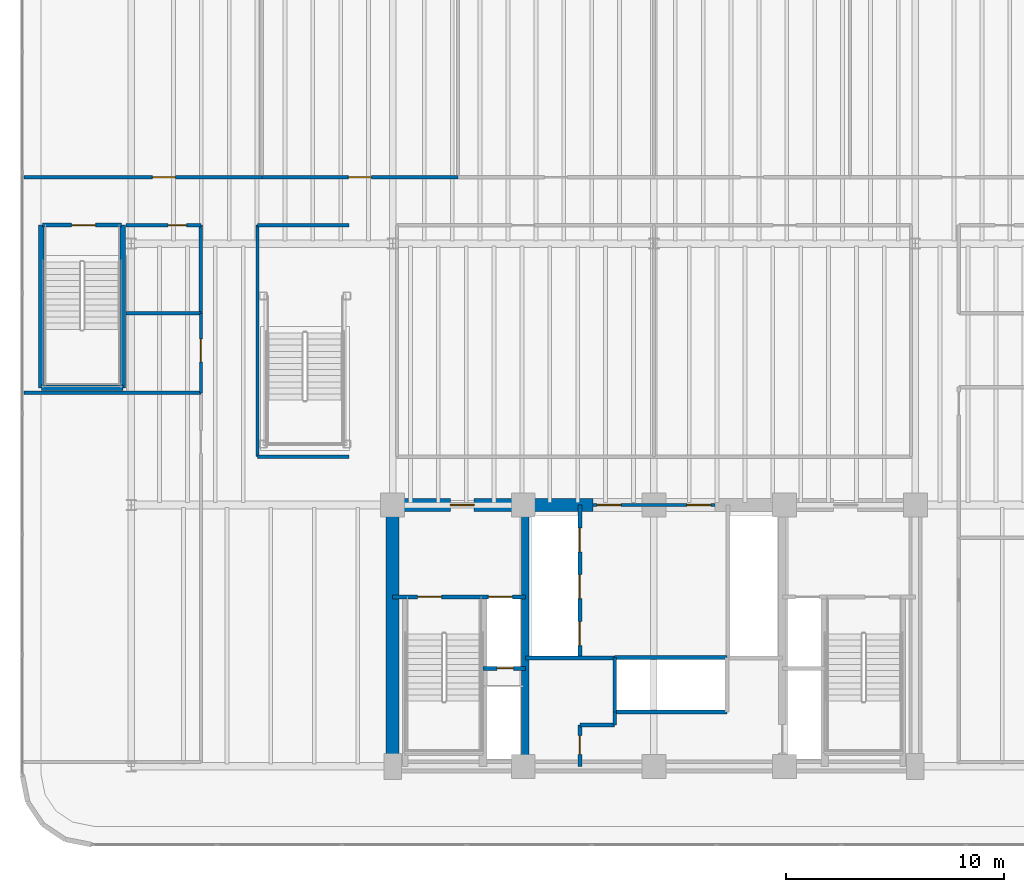
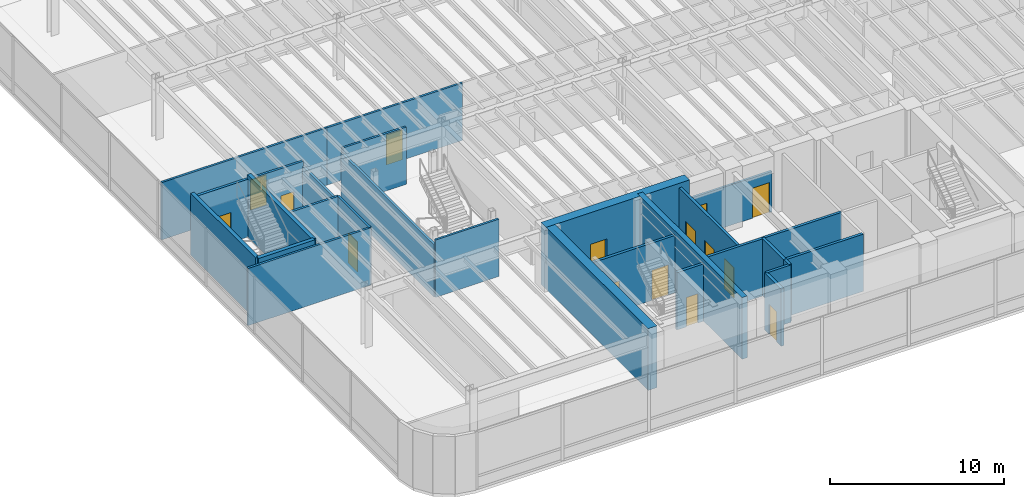
# One storey, part 12 of 18: 28 walls, 15 doors, 15 openings.
"""IFC4 building model written with IfcOpenShell, lengths in metres."""

from ifc_helpers import new_model, si_unit, direction, frame, frame_2d, origin, origin_2d, place, context, subcontext, project, spatial, rectangle, extrude, source, transform, mapped, material, layer, layer_set, type_object, element, fill, save


model = new_model("IFC4")

# Units and contexts
model_context = context("Model", 3, precision=1e-05, world=origin(), true_north=direction((0.0, 1.0)))
body_context = subcontext(model_context, "Body", "Model", "MODEL_VIEW")
ifc_project = project(units=[si_unit("LENGTHUNIT", "METRE"), si_unit("AREAUNIT", "SQUARE_METRE"), si_unit("VOLUMEUNIT", "CUBIC_METRE"), si_unit("PLANEANGLEUNIT", "RADIAN"), si_unit("MASSUNIT", "GRAM", prefix="KILO")], contexts=[model_context])

# Site, building, storey
site_placement = place(None, origin())
site = spatial("IfcSite", under=ifc_project, at=site_placement, CompositionType="ELEMENT")
building_placement = place(site_placement, origin())
building = spatial("IfcBuilding", under=site, at=building_placement, Name="Brelvock Crest Care Tower", CompositionType="ELEMENT")
storey_placement = place(building_placement, frame((0.0, 0.0, 5.39990234375)))
storey = spatial("IfcBuildingStorey", under=building, at=storey_placement, Name="L01", CompositionType="ELEMENT", Elevation=5.39990234375)

# Wall
ifc_material_1 = material(Name="Concrete S80 (80 MPa)", Category="concrete")
ifc_layer_1 = layer(ifc_material_1, 0.60009765625, Name="WL-CS1")
ifc_layer_set_1 = layer_set([ifc_layer_1], Name="Concrete S80 (80 MPa)")
wall_type_1 = type_object("IfcWallType", Name="WL-CS1", PredefinedType="SHEAR", material=ifc_layer_set_1)
wall_1_placement = place(storey_placement, frame((24.0, 6.0, 0.0), z_axis=(0.0, 0.0, 1.0), x_axis=(0.0, 1.0, 0.0)))
element("IfcWall", 1, at=wall_1_placement, inside=storey, type_object=wall_type_1, Name="L01 Core West Shear Wall", PredefinedType="SHEAR", context=body_context, shape_type="SweptSolid", body=[
    extrude(rectangle(XDim=12.0, YDim=0.60009765625, at=frame_2d((6.0, 0.0))), origin(), (0.0, 0.0, 1.0), 4.320068359375),
])

# Wall, opening, door
wall_2_placement = place(storey_placement, frame((23.699951171875, 18.0, 0.0), z_axis=(0.0, 0.0, 1.0), x_axis=(1.0, 0.0, 0.0)))
wall_2 = element("IfcWall", 2, at=wall_2_placement, inside=storey, type_object=wall_type_1, Name="L01 Core North-West Shear Wall", PredefinedType="SHEAR", context=body_context, shape_type="SweptSolid", body=[
    extrude(rectangle(XDim=9.5, YDim=0.60009765625, at=frame_2d((4.75, 0.0))), origin(), (0.0, 0.0, 1.0), 4.320068359375),
])
opening_1_placement = place(wall_2_placement, frame((2.949951171875, 0.0, 0.0)))
opening_1 = element("IfcOpeningElement", 3, at=opening_1_placement, cuts=wall_2, Name="Opening FD-1", PredefinedType="OPENING", context=body_context, shape_type="SweptSolid", body=[
    extrude(rectangle(XDim=1.10009765625, YDim=2.10009765625, at=origin_2d()), frame((0.550048828125, 0.31005859375, 1.050048828125), z_axis=(0.0, -1.0, 0.0), x_axis=(1.0, 0.0, 0.0)), (0.0, 0.0, 1.0), 0.6201171875),
])
ifc_material_2 = material(Name="Steel Grade 350", Category="steel")
door_type_1 = type_object("IfcDoorType", Name="DR-FFL1", OperationType="NOTDEFINED", PredefinedType="DOOR", material=ifc_material_2)
shared_shape_1 = source(origin(), body_context, "Body", "SweptSolid", [
    extrude(rectangle(XDim=1.10009765625, YDim=2.10009765625, at=origin_2d()), frame((0.550048828125, 0.02490234375, 1.050048828125), z_axis=(0.0, -1.0, 0.0), x_axis=(1.0, 0.0, 0.0)), (0.0, 0.0, 1.0), 0.050048828125),
])
door_1_placement = place(opening_1_placement, origin())
door_1 = element("IfcDoor", 4, at=door_1_placement, inside=storey, type_object=door_type_1, Name="L01 Firefighting Lobby FFL-1 Exit Door", OperationType="SINGLE_SWING_LEFT", OverallHeight=2.10009765625, OverallWidth=1.10009765625, PredefinedType="DOOR", context=body_context, shape_type="MappedRepresentation", body=[
    mapped(shared_shape_1, transform((0.0, 0.0, 0.0), x_axis=(1.0, 0.0, 0.0), y_axis=(0.0, 1.0, 0.0), z_axis=(0.0, 0.0, 1.0), scale=1.0)),
])
fill(opening_1, door_1)

# Walls
ifc_layer_2 = layer(ifc_material_1, 0.35009765625, Name="WL-CS5")
ifc_layer_set_2 = layer_set([ifc_layer_2], Name="Concrete S80 (80 MPa)")
wall_type_2 = type_object("IfcWallType", Name="WL-CS5", PredefinedType="SHEAR", material=ifc_layer_set_2)
wall_3_placement = place(storey_placement, frame((30.10009765625, 6.0, 0.0), z_axis=(0.0, 0.0, 1.0), x_axis=(0.0, 1.0, 0.0)))
element("IfcWall", 5, at=wall_3_placement, inside=storey, type_object=wall_type_2, Name="L01 Core Internal Web Wall West", PredefinedType="SHEAR", context=body_context, shape_type="SweptSolid", body=[
    extrude(rectangle(XDim=12.0, YDim=0.35009765625, at=frame_2d((6.0, 0.0))), origin(), (0.0, 0.0, 1.0), 4.320068359375),
])
ifc_layer_3 = layer(ifc_material_1, 0.25, Name="WL-CS6")
ifc_layer_set_3 = layer_set([ifc_layer_3], Name="Concrete S80 (80 MPa)")
wall_type_3 = type_object("IfcWallType", Name="WL-CS6", PredefinedType="SHEAR", material=ifc_layer_set_3)
wall_4_placement = place(storey_placement, frame((7.8798828125, 23.3798828125, 0.0), z_axis=(0.0, 0.0, 1.0), x_axis=(1.0, 0.0, 0.0)))
element("IfcWall", 6, at=wall_4_placement, inside=storey, type_object=wall_type_3, Name="L01 Podium Stair ST-3 South Shear Wall", PredefinedType="SHEAR", context=body_context, shape_type="SweptSolid", body=[
    extrude(rectangle(XDim=3.740234375, YDim=0.25, at=frame_2d((1.8701171875, 0.0))), origin(), (0.0, 0.0, 1.0), 4.320068359375),
])
for number, where, z_axis, x_axis, name in (
    (7, (7.8798828125, 23.3798828125, 0.0), (0.0, 0.0, 1.0), (0.0, 1.0, 0.0), "L01 Podium Stair ST-3 West Shear Wall"),
    (8, (11.6201171875, 23.3798828125, 0.0), (0.0, 0.0, 1.0), (0.0, 1.0, 0.0), "L01 Podium Stair ST-3 East Shear Wall"),
):
    element("IfcWall", number, at=place(storey_placement, frame(where, z_axis=z_axis, x_axis=x_axis)), inside=storey, type_object=wall_type_3, Name=name, PredefinedType="SHEAR", context=body_context, shape_type="SweptSolid", body=[
        extrude(rectangle(XDim=7.47021484375, YDim=0.25, at=frame_2d((3.735107421875, 0.0))), origin(), (0.0, 0.0, 1.0), 4.320068359375),
    ])

# Wall, openings, doors
ifc_material_3 = material(Name="Masonry Blockwork Acoustic Partition", Category="masonry")
ifc_layer_4 = layer(ifc_material_3, 0.14990234375, Name="WL-INT1")
ifc_layer_set_4 = layer_set([ifc_layer_4], Name="Masonry Blockwork Acoustic Partition")
wall_type_4 = type_object("IfcWallType", Name="WL-INT1", PredefinedType="PARTITIONING", material=ifc_layer_set_4)
wall_5_placement = place(storey_placement, frame((33.199951171875, 18.0, 0.0), z_axis=(0.0, 0.0, 1.0), x_axis=(1.0, 0.0, 0.0)))
wall_5 = element("IfcWall", 9, at=wall_5_placement, inside=storey, type_object=wall_type_4, Name="L01 Interior Wall WL-CORE-NPORT-L01", PredefinedType="PARTITIONING", context=body_context, shape_type="SweptSolid", body=[
    extrude(rectangle(XDim=5.60009765625, YDim=0.14990234375, at=frame_2d((2.800048828125, 0.0))), origin(), (0.0, 0.0, 1.0), 2.8251953125),
])
opening_2_placement = place(wall_5_placement, frame((0.18994140625, 0.0, 0.0)))
opening_2 = element("IfcOpeningElement", 10, at=opening_2_placement, cuts=wall_5, Name="Opening FD-1", PredefinedType="OPENING", context=body_context, shape_type="SweptSolid", body=[
    extrude(rectangle(XDim=1.10009765625, YDim=2.10009765625, at=origin_2d()), frame((0.550048828125, 0.0849609375, 1.050048828125), z_axis=(0.0, -1.0, 0.0), x_axis=(1.0, 0.0, 0.0)), (0.0, 0.0, 1.0), 0.169921875),
])
opening_3_placement = place(wall_5_placement, frame((4.31005859375, 0.0, 0.0)))
opening_3 = element("IfcOpeningElement", 11, at=opening_3_placement, cuts=wall_5, Name="Opening FD-1", PredefinedType="OPENING", context=body_context, shape_type="SweptSolid", body=[
    extrude(rectangle(XDim=1.10009765625, YDim=2.10009765625, at=origin_2d()), frame((0.550048828125, 0.0849609375, 1.050048828125), z_axis=(0.0, -1.0, 0.0), x_axis=(1.0, 0.0, 0.0)), (0.0, 0.0, 1.0), 0.169921875),
])
door_2_placement = place(opening_2_placement, origin())
door_2 = element("IfcDoor", 12, at=door_2_placement, inside=storey, type_object=door_type_1, Name="L01 Lift Lobby North Smoke Door West", OperationType="SINGLE_SWING_LEFT", OverallHeight=2.10009765625, OverallWidth=1.10009765625, PredefinedType="DOOR", context=body_context, shape_type="MappedRepresentation", body=[
    mapped(shared_shape_1, transform((0.0, 0.0, 0.0), x_axis=(1.0, 0.0, 0.0), y_axis=(0.0, 1.0, 0.0), z_axis=(0.0, 0.0, 1.0), scale=1.0)),
])
fill(opening_2, door_2)
door_3_placement = place(opening_3_placement, origin())
door_3 = element("IfcDoor", 13, at=door_3_placement, inside=storey, type_object=door_type_1, Name="L01 Lift Lobby North Smoke Door East", OperationType="SINGLE_SWING_RIGHT", OverallHeight=2.10009765625, OverallWidth=1.10009765625, PredefinedType="DOOR", context=body_context, shape_type="MappedRepresentation", body=[
    mapped(shared_shape_1, transform((0.0, 0.0, 0.0), x_axis=(1.0, 0.0, 0.0), y_axis=(0.0, 1.0, 0.0), z_axis=(0.0, 0.0, 1.0), scale=1.0)),
])
fill(opening_3, door_3)

# Walls
wall_6_placement = place(storey_placement, frame((17.800048828125, 20.219970703125, 0.0), z_axis=(0.0, 0.0, 1.0), x_axis=(1.0, 0.0, 0.0)))
element("IfcWall", 14, at=wall_6_placement, inside=storey, type_object=wall_type_4, Name="L01 Interior Wall WL-BX-L01-ATRM-S", PredefinedType="PARTITIONING", context=body_context, shape_type="SweptSolid", body=[
    extrude(rectangle(XDim=4.199951171875, YDim=0.14990234375, at=frame_2d((2.10009765625, 0.0))), origin(), (0.0, 0.0, 1.0), 4.010009765625),
])
wall_7_placement = place(storey_placement, frame((7.080078125, 23.14990234375, 0.0), z_axis=(0.0, 0.0, 1.0), x_axis=(1.0, 0.0, 0.0)))
element("IfcWall", 15, at=wall_7_placement, inside=storey, type_object=wall_type_4, Name="L01 Interior Wall WL-BX-L01-CL1A-N", PredefinedType="PARTITIONING", context=body_context, shape_type="SweptSolid", body=[
    extrude(rectangle(XDim=8.119873046875, YDim=0.14990234375, at=frame_2d((4.06005859375, 0.0))), origin(), (0.0, 0.0, 1.0), 4.010009765625),
])
wall_8_placement = place(storey_placement, frame((17.800048828125, 30.85009765625, 0.0), z_axis=(0.0, 0.0, 1.0), x_axis=(1.0, 0.0, 0.0)))
element("IfcWall", 16, at=wall_8_placement, inside=storey, type_object=wall_type_4, Name="L01 Interior Wall WL-BX-L01-ATRM-N", PredefinedType="PARTITIONING", context=body_context, shape_type="SweptSolid", body=[
    extrude(rectangle(XDim=4.199951171875, YDim=0.14990234375, at=frame_2d((2.10009765625, 0.0))), origin(), (0.0, 0.0, 1.0), 4.010009765625),
])

# Wall, opening, door
wall_9_placement = place(storey_placement, frame((7.080078125, 33.050048828125, 0.0), z_axis=(0.0, 0.0, 1.0), x_axis=(1.0, 0.0, 0.0)))
wall_9 = element("IfcWall", 17, at=wall_9_placement, inside=storey, type_object=wall_type_4, Name="L01 Interior Wall WL-RM-L01-CL5A", PredefinedType="PARTITIONING", context=body_context, shape_type="SweptSolid", body=[
    extrude(rectangle(XDim=10.919921875, YDim=0.14990234375, at=frame_2d((5.4599609375, 0.0))), origin(), (0.0, 0.0, 1.0), 4.010009765625),
])
opening_4_placement = place(wall_9_placement, frame((5.89501953125, 0.0, 0.0)))
opening_4 = element("IfcOpeningElement", 18, at=opening_4_placement, cuts=wall_9, Name="Opening CD-1", PredefinedType="OPENING", context=body_context, shape_type="SweptSolid", body=[
    extrude(rectangle(XDim=1.050048828125, YDim=2.10009765625, at=origin_2d()), frame((0.52490234375, 0.0849609375, 1.050048828125), z_axis=(0.0, -1.0, 0.0), x_axis=(1.0, 0.0, 0.0)), (0.0, 0.0, 1.0), 0.169921875),
])
ifc_material_4 = material(Name="Engineered Hardwood Timber", Category="wood")
door_type_2 = type_object("IfcDoorType", Name="DR-CARE1", OperationType="NOTDEFINED", PredefinedType="DOOR", material=ifc_material_4)
shared_shape_2 = source(origin(), body_context, "Body", "SweptSolid", [
    extrude(rectangle(XDim=1.050048828125, YDim=2.10009765625, at=origin_2d()), frame((0.52490234375, 0.02490234375, 1.050048828125), z_axis=(0.0, -1.0, 0.0), x_axis=(1.0, 0.0, 0.0)), (0.0, 0.0, 1.0), 0.050048828125),
])
door_4_placement = place(opening_4_placement, origin())
door_4 = element("IfcDoor", 19, at=door_4_placement, inside=storey, type_object=door_type_2, Name="L01 Day Rehabilitation Suite West Door CL5A", OperationType="SINGLE_SWING_LEFT", OverallHeight=2.10009765625, OverallWidth=1.050048828125, PredefinedType="DOOR", context=body_context, shape_type="MappedRepresentation", body=[
    mapped(shared_shape_2, transform((0.0, 0.0, 0.0), x_axis=(1.0, 0.0, 0.0), y_axis=(0.0, 1.0, 0.0), z_axis=(0.0, 0.0, 1.0), scale=1.0)),
])
fill(opening_4, door_4)

wall_10_placement = place(storey_placement, frame((18.0, 33.050048828125, 0.0), z_axis=(0.0, 0.0, 1.0), x_axis=(1.0, 0.0, 0.0)))
wall_10 = element("IfcWall", 20, at=wall_10_placement, inside=storey, type_object=wall_type_4, Name="L01 Interior Wall WL-RM-L01-CL5B", PredefinedType="PARTITIONING", context=body_context, shape_type="SweptSolid", body=[
    extrude(rectangle(XDim=9.0, YDim=0.14990234375, at=frame_2d((4.5, 0.0))), origin(), (0.0, 0.0, 1.0), 4.010009765625),
])
opening_5_placement = place(wall_10_placement, frame((3.97509765625, 0.0, 0.0)))
opening_5 = element("IfcOpeningElement", 21, at=opening_5_placement, cuts=wall_10, Name="Opening CLD-1", PredefinedType="OPENING", context=body_context, shape_type="SweptSolid", body=[
    extrude(rectangle(XDim=1.050048828125, YDim=2.10009765625, at=origin_2d()), frame((0.52490234375, 0.0849609375, 1.050048828125), z_axis=(0.0, -1.0, 0.0), x_axis=(1.0, 0.0, 0.0)), (0.0, 0.0, 1.0), 0.169921875),
])
door_type_3 = type_object("IfcDoorType", Name="DR-CLN1", OperationType="NOTDEFINED", PredefinedType="DOOR", material=ifc_material_4)
shared_shape_3 = source(origin(), body_context, "Body", "SweptSolid", [
    extrude(rectangle(XDim=1.050048828125, YDim=2.10009765625, at=origin_2d()), frame((0.52490234375, 0.02490234375, 1.050048828125), z_axis=(0.0, -1.0, 0.0), x_axis=(1.0, 0.0, 0.0)), (0.0, 0.0, 1.0), 0.050048828125),
])
door_5_placement = place(opening_5_placement, origin())
door_5 = element("IfcDoor", 22, at=door_5_placement, inside=storey, type_object=door_type_3, Name="L01 Speech and Swallowing Clinic Door CL5B", OperationType="SINGLE_SWING_LEFT", OverallHeight=2.10009765625, OverallWidth=1.050048828125, PredefinedType="DOOR", context=body_context, shape_type="MappedRepresentation", body=[
    mapped(shared_shape_3, transform((0.0, 0.0, 0.0), x_axis=(1.0, 0.0, 0.0), y_axis=(0.0, 1.0, 0.0), z_axis=(0.0, 0.0, 1.0), scale=1.0)),
])
fill(opening_5, door_5)

wall_11_placement = place(storey_placement, frame((15.199951171875, 23.14990234375, 0.0), z_axis=(0.0, 0.0, 1.0), x_axis=(0.0, 1.0, 0.0)))
wall_11 = element("IfcWall", 23, at=wall_11_placement, inside=storey, type_object=wall_type_4, Name="L01 Interior Wall WL-RM-L01-CL1B", PredefinedType="PARTITIONING", context=body_context, shape_type="SweptSolid", body=[
    extrude(rectangle(XDim=3.650146484375, YDim=0.14990234375, at=frame_2d((1.8251953125, 0.0))), origin(), (0.0, 0.0, 1.0), 4.010009765625),
])
opening_6_placement = place(wall_11_placement, frame((1.425048828125, 0.0, 0.0)))
opening_6 = element("IfcOpeningElement", 24, at=opening_6_placement, cuts=wall_11, Name="Opening CLD-1", PredefinedType="OPENING", context=body_context, shape_type="SweptSolid", body=[
    extrude(rectangle(XDim=1.050048828125, YDim=2.10009765625, at=origin_2d()), frame((0.52490234375, 0.0849609375, 1.050048828125), z_axis=(0.0, -1.0, 0.0), x_axis=(1.0, 0.0, 0.0)), (0.0, 0.0, 1.0), 0.169921875),
])
door_6_placement = place(opening_6_placement, origin())
door_6 = element("IfcDoor", 25, at=door_6_placement, inside=storey, type_object=door_type_3, Name="L01 Geriatric Triage Assessment Door CL1B", OperationType="SINGLE_SWING_LEFT", OverallHeight=2.10009765625, OverallWidth=1.050048828125, PredefinedType="DOOR", context=body_context, shape_type="MappedRepresentation", body=[
    mapped(shared_shape_3, transform((0.0, 0.0, 0.0), x_axis=(1.0, 0.0, 0.0), y_axis=(0.0, 1.0, 0.0), z_axis=(0.0, 0.0, 1.0), scale=1.0)),
])
fill(opening_6, door_6)

# Walls
wall_12_placement = place(storey_placement, frame((17.800048828125, 20.219970703125, 0.0), z_axis=(0.0, 0.0, 1.0), x_axis=(0.0, 1.0, 0.0)))
element("IfcWall", 26, at=wall_12_placement, inside=storey, type_object=wall_type_4, Name="L01 Interior Wall WL-BX-L01-ATRM-W", PredefinedType="PARTITIONING", context=body_context, shape_type="SweptSolid", body=[
    extrude(rectangle(XDim=10.630126953125, YDim=0.14990234375, at=frame_2d((5.31494140625, 0.0))), origin(), (0.0, 0.0, 1.0), 3.666015625),
])
ifc_material_5 = material(Name="Gypsum Plasterboard Partition", Category="gypsum")
ifc_layer_5 = layer(ifc_material_5, 0.159912109375, Name="WL-PLM1")
ifc_layer_set_5 = layer_set([ifc_layer_5], Name="Gypsum Plasterboard Partition")
wall_type_5 = type_object("IfcWallType", Name="WL-PLM1", PredefinedType="PLUMBINGWALL", material=ifc_layer_set_5)
wall_13_placement = place(storey_placement, frame((11.75, 26.800048828125, 0.0), z_axis=(0.0, 0.0, 1.0), x_axis=(1.0, 0.0, 0.0)))
element("IfcWall", 27, at=wall_13_placement, inside=storey, type_object=wall_type_5, Name="L01 Interior Wall WL-BX-L01-AWC-S", PredefinedType="PLUMBINGWALL", context=body_context, shape_type="SweptSolid", body=[
    extrude(rectangle(XDim=3.449951171875, YDim=0.159912109375, at=frame_2d((1.72509765625, 0.0))), origin(), (0.0, 0.0, 1.0), 4.010009765625),
])

# Wall, opening, door
wall_14_placement = place(storey_placement, frame((11.75, 30.85009765625, 0.0), z_axis=(0.0, 0.0, 1.0), x_axis=(1.0, 0.0, 0.0)))
wall_14 = element("IfcWall", 28, at=wall_14_placement, inside=storey, type_object=wall_type_5, Name="L01 Interior Wall WL-RM-L01-AWC", PredefinedType="PLUMBINGWALL", context=body_context, shape_type="SweptSolid", body=[
    extrude(rectangle(XDim=3.449951171875, YDim=0.159912109375, at=frame_2d((1.72509765625, 0.0))), origin(), (0.0, 0.0, 1.0), 4.010009765625),
])
opening_7_placement = place(wall_14_placement, frame((1.93994140625, 0.0, 0.0)))
opening_7 = element("IfcOpeningElement", 29, at=opening_7_placement, cuts=wall_14, Name="Opening WD-1", PredefinedType="OPENING", context=body_context, shape_type="SweptSolid", body=[
    extrude(rectangle(XDim=0.860107421875, YDim=2.10009765625, at=origin_2d()), frame((0.43017578125, 0.08984375, 1.050048828125), z_axis=(0.0, -1.0, 0.0), x_axis=(1.0, 0.0, 0.0)), (0.0, 0.0, 1.0), 0.179931640625),
])
door_type_4 = type_object("IfcDoorType", Name="DR-WC1", OperationType="NOTDEFINED", PredefinedType="DOOR", material=ifc_material_4)
shared_shape_4 = source(origin(), body_context, "Body", "SweptSolid", [
    extrude(rectangle(XDim=0.860107421875, YDim=2.10009765625, at=origin_2d()), frame((0.43017578125, 0.02490234375, 1.050048828125), z_axis=(0.0, -1.0, 0.0), x_axis=(1.0, 0.0, 0.0)), (0.0, 0.0, 1.0), 0.050048828125),
])
door_7_placement = place(opening_7_placement, origin())
door_7 = element("IfcDoor", 30, at=door_7_placement, inside=storey, type_object=door_type_4, Name="L01 Clinic Accessible WC Door AWC", OperationType="SINGLE_SWING_LEFT", OverallHeight=2.10009765625, OverallWidth=0.860107421875, PredefinedType="DOOR", context=body_context, shape_type="MappedRepresentation", body=[
    mapped(shared_shape_4, transform((0.0, 0.0, 0.0), x_axis=(1.0, 0.0, 0.0), y_axis=(0.0, 1.0, 0.0), z_axis=(0.0, 0.0, 1.0), scale=1.0)),
])
fill(opening_7, door_7)

# Wall
wall_15_placement = place(storey_placement, frame((15.199951171875, 26.800048828125, 0.0), z_axis=(0.0, 0.0, 1.0), x_axis=(0.0, 1.0, 0.0)))
element("IfcWall", 31, at=wall_15_placement, inside=storey, type_object=wall_type_5, Name="L01 Interior Wall WL-BX-L01-AWC-E", PredefinedType="PLUMBINGWALL", context=body_context, shape_type="SweptSolid", body=[
    extrude(rectangle(XDim=4.050048828125, YDim=0.159912109375, at=frame_2d((2.02490234375, 0.0))), origin(), (0.0, 0.0, 1.0), 3.666015625),
])

# Wall, opening, door
ifc_layer_6 = layer(ifc_material_3, 0.179931640625, Name="WL-SHF1")
ifc_layer_set_6 = layer_set([ifc_layer_6], Name="Masonry Blockwork Acoustic Partition")
wall_type_6 = type_object("IfcWallType", Name="WL-SHF1", PredefinedType="PARTITIONING", material=ifc_layer_set_6)
wall_16_placement = place(storey_placement, frame((7.919921875, 30.85009765625, 0.0), z_axis=(0.0, 0.0, 1.0), x_axis=(1.0, 0.0, 0.0)))
wall_16 = element("IfcWall", 32, at=wall_16_placement, inside=storey, type_object=wall_type_6, Name="L01 Interior Wall WL-ST3-N-L01", PredefinedType="PARTITIONING", context=body_context, shape_type="SweptSolid", body=[
    extrude(rectangle(XDim=3.630126953125, YDim=0.179931640625, at=frame_2d((1.81494140625, 0.0))), origin(), (0.0, 0.0, 1.0), 4.0400390625),
])
opening_8_placement = place(wall_16_placement, frame((1.35009765625, 0.0, 0.0)))
opening_8 = element("IfcOpeningElement", 33, at=opening_8_placement, cuts=wall_16, Name="Opening SD-1", PredefinedType="OPENING", context=body_context, shape_type="SweptSolid", body=[
    extrude(rectangle(XDim=1.10009765625, YDim=2.10009765625, at=origin_2d()), frame((0.550048828125, 0.10009765625, 1.050048828125), z_axis=(0.0, -1.0, 0.0), x_axis=(1.0, 0.0, 0.0)), (0.0, 0.0, 1.0), 0.199951171875),
])
door_type_5 = type_object("IfcDoorType", Name="DR-ST1", OperationType="NOTDEFINED", PredefinedType="DOOR", material=ifc_material_2)
shared_shape_5 = source(origin(), body_context, "Body", "SweptSolid", [
    extrude(rectangle(XDim=1.10009765625, YDim=2.10009765625, at=origin_2d()), frame((0.550048828125, 0.02490234375, 1.050048828125), z_axis=(0.0, -1.0, 0.0), x_axis=(1.0, 0.0, 0.0)), (0.0, 0.0, 1.0), 0.050048828125),
])
door_8_placement = place(opening_8_placement, origin())
door_8 = element("IfcDoor", 34, at=door_8_placement, inside=storey, type_object=door_type_5, Name="L01 Podium Stair ST-3 Door", OperationType="SINGLE_SWING_LEFT", OverallHeight=2.10009765625, OverallWidth=1.10009765625, PredefinedType="DOOR", context=body_context, shape_type="MappedRepresentation", body=[
    mapped(shared_shape_5, transform((0.0, 0.0, 0.0), x_axis=(1.0, 0.0, 0.0), y_axis=(0.0, 1.0, 0.0), z_axis=(0.0, 0.0, 1.0), scale=1.0)),
])
fill(opening_8, door_8)

# Walls
for number, where, z_axis, x_axis, name in (
    (35, (34.199951171875, 11.0, 0.0), (0.0, 0.0, 1.0), (1.0, 0.0, 0.0), "L01 Interior Wall WL-PLM-SHF-L01"),
    (36, (34.199951171875, 8.5, 0.0), (0.0, 0.0, 1.0), (1.0, 0.0, 0.0), "L01 Interior Wall WL-PLM-S-L01"),
):
    element("IfcWall", number, at=place(storey_placement, frame(where, z_axis=z_axis, x_axis=x_axis)), inside=storey, type_object=wall_type_6, Name=name, PredefinedType="PARTITIONING", context=body_context, shape_type="SweptSolid", body=[
        extrude(rectangle(XDim=5.150146484375, YDim=0.179931640625, at=frame_2d((2.5751953125, 0.0))), origin(), (0.0, 0.0, 1.0), 4.010009765625),
    ])
wall_17_placement = place(storey_placement, frame((34.199951171875, 8.5, 0.0), z_axis=(0.0, 0.0, 1.0), x_axis=(0.0, 1.0, 0.0)))
element("IfcWall", 37, at=wall_17_placement, inside=storey, type_object=wall_type_6, Name="L01 Interior Wall WL-PLM-W-L01", PredefinedType="PARTITIONING", context=body_context, shape_type="SweptSolid", body=[
    extrude(rectangle(XDim=2.5, YDim=0.179931640625, at=frame_2d((1.25, 0.0))), origin(), (0.0, 0.0, 1.0), 4.010009765625),
])
wall_18_placement = place(storey_placement, frame((30.10009765625, 10.97998046875, 0.0), z_axis=(0.0, 0.0, 1.0), x_axis=(1.0, 0.0, 0.0)))
element("IfcWall", 38, at=wall_18_placement, inside=storey, type_object=wall_type_6, Name="L01 Interior Wall WL-CSBW-N-L01", PredefinedType="PARTITIONING", context=body_context, shape_type="SweptSolid", body=[
    extrude(rectangle(XDim=4.079833984375, YDim=0.179931640625, at=frame_2d((2.0400390625, 0.0))), origin(), (0.0, 0.0, 1.0), 4.010009765625),
])
wall_19_placement = place(storey_placement, frame((34.199951171875, 7.89990234375, 0.0), z_axis=(0.0, 0.0, 1.0), x_axis=(0.0, 1.0, 0.0)))
element("IfcWall", 39, at=wall_19_placement, inside=storey, type_object=wall_type_6, Name="L01 Interior Wall WL-CSBW-E2-L01", PredefinedType="PARTITIONING", context=body_context, shape_type="SweptSolid", body=[
    extrude(rectangle(XDim=0.60009765625, YDim=0.179931640625, at=frame_2d((0.300048828125, 0.0))), origin(), (0.0, 0.0, 1.0), 4.010009765625),
])
wall_20_placement = place(storey_placement, frame((32.60009765625, 7.89990234375, 0.0), z_axis=(0.0, 0.0, 1.0), x_axis=(1.0, 0.0, 0.0)))
element("IfcWall", 40, at=wall_20_placement, inside=storey, type_object=wall_type_6, Name="L01 Interior Wall WL-CSBW-S2-L01", PredefinedType="PARTITIONING", context=body_context, shape_type="SweptSolid", body=[
    extrude(rectangle(XDim=1.599853515625, YDim=0.179931640625, at=frame_2d((0.7998046875, 0.0))), origin(), (0.0, 0.0, 1.0), 4.010009765625),
])

# Wall, opening, door
wall_21_placement = place(storey_placement, frame((32.60009765625, 6.0, 0.0), z_axis=(0.0, 0.0, 1.0), x_axis=(0.0, 1.0, 0.0)))
wall_21 = element("IfcWall", 41, at=wall_21_placement, inside=storey, type_object=wall_type_6, Name="L01 Interior Wall WL-CSBW-E1-L01", PredefinedType="PARTITIONING", context=body_context, shape_type="SweptSolid", body=[
    extrude(rectangle(XDim=1.89990234375, YDim=0.179931640625, at=frame_2d((0.949951171875, 0.0))), origin(), (0.0, 0.0, 1.0), 4.010009765625),
])
opening_9_placement = place(wall_21_placement, frame((0.550048828125, 0.0, 0.0)))
opening_9 = element("IfcOpeningElement", 42, at=opening_9_placement, cuts=wall_21, Name="Opening ID-1", PredefinedType="OPENING", context=body_context, shape_type="SweptSolid", body=[
    extrude(rectangle(XDim=0.860107421875, YDim=2.10009765625, at=origin_2d()), frame((0.43017578125, 0.10009765625, 1.050048828125), z_axis=(0.0, -1.0, 0.0), x_axis=(1.0, 0.0, 0.0)), (0.0, 0.0, 1.0), 0.199951171875),
])
door_type_6 = type_object("IfcDoorType", Name="DR-INT1", OperationType="NOTDEFINED", PredefinedType="DOOR", material=ifc_material_4)
shared_shape_6 = source(origin(), body_context, "Body", "SweptSolid", [
    extrude(rectangle(XDim=0.860107421875, YDim=2.10009765625, at=origin_2d()), frame((0.43017578125, 0.02490234375, 1.050048828125), z_axis=(0.0, -1.0, 0.0), x_axis=(1.0, 0.0, 0.0)), (0.0, 0.0, 1.0), 0.050048828125),
])
door_9_placement = place(opening_9_placement, origin())
door_9 = element("IfcDoor", 43, at=door_9_placement, inside=storey, type_object=door_type_6, Name="DR-CSBW-L01", OperationType="SINGLE_SWING_LEFT", OverallHeight=2.10009765625, OverallWidth=0.860107421875, PredefinedType="DOOR", context=body_context, shape_type="MappedRepresentation", body=[
    mapped(shared_shape_6, transform((0.0, 0.0, 0.0), x_axis=(1.0, 0.0, 0.0), y_axis=(0.0, 1.0, 0.0), z_axis=(0.0, 0.0, 1.0), scale=1.0)),
])
fill(opening_9, door_9)

# Wall, openings, doors
wall_22_placement = place(storey_placement, frame((24.0, 13.780029296875, 0.0), z_axis=(0.0, 0.0, 1.0), x_axis=(1.0, 0.0, 0.0)))
wall_22 = element("IfcWall", 44, at=wall_22_placement, inside=storey, type_object=wall_type_6, Name="L01 Interior Wall WL-ST1-N-L01", PredefinedType="PARTITIONING", context=body_context, shape_type="SweptSolid", body=[
    extrude(rectangle(XDim=6.10009765625, YDim=0.179931640625, at=frame_2d((3.050048828125, 0.0))), origin(), (0.0, 0.0, 1.0), 4.010009765625),
])
opening_10_placement = place(wall_22_placement, frame((1.14990234375, 0.0, 0.0)))
opening_10 = element("IfcOpeningElement", 45, at=opening_10_placement, cuts=wall_22, Name="Opening SD-1", PredefinedType="OPENING", context=body_context, shape_type="SweptSolid", body=[
    extrude(rectangle(XDim=1.10009765625, YDim=2.10009765625, at=origin_2d()), frame((0.550048828125, 0.10009765625, 1.050048828125), z_axis=(0.0, -1.0, 0.0), x_axis=(1.0, 0.0, 0.0)), (0.0, 0.0, 1.0), 0.199951171875),
])
opening_11_placement = place(wall_22_placement, frame((4.39990234375, 0.0, 0.0)))
opening_11 = element("IfcOpeningElement", 46, at=opening_11_placement, cuts=wall_22, Name="Opening LD", PredefinedType="OPENING", context=body_context, shape_type="SweptSolid", body=[
    extrude(rectangle(XDim=1.10009765625, YDim=2.10009765625, at=origin_2d()), frame((0.550048828125, 0.10009765625, 1.050048828125), z_axis=(0.0, -1.0, 0.0), x_axis=(1.0, 0.0, 0.0)), (0.0, 0.0, 1.0), 0.199951171875),
])
door_10_placement = place(opening_10_placement, origin())
door_10 = element("IfcDoor", 47, at=door_10_placement, inside=storey, type_object=door_type_5, Name="L01 Fire Stair ST-1 Door", OperationType="SINGLE_SWING_LEFT", OverallHeight=2.10009765625, OverallWidth=1.10009765625, PredefinedType="DOOR", context=body_context, shape_type="MappedRepresentation", body=[
    mapped(shared_shape_5, transform((0.0, 0.0, 0.0), x_axis=(1.0, 0.0, 0.0), y_axis=(0.0, 1.0, 0.0), z_axis=(0.0, 0.0, 1.0), scale=1.0)),
])
fill(opening_10, door_10)
door_type_7 = type_object("IfcDoorType", Name="DR-LD1", OperationType="NOTDEFINED", PredefinedType="DOOR", material=ifc_material_2)
shared_shape_7 = source(origin(), body_context, "Body", "SweptSolid", [
    extrude(rectangle(XDim=1.10009765625, YDim=2.10009765625, at=origin_2d()), frame((0.550048828125, 0.02490234375, 1.050048828125), z_axis=(0.0, -1.0, 0.0), x_axis=(1.0, 0.0, 0.0)), (0.0, 0.0, 1.0), 0.050048828125),
])
door_11_placement = place(opening_11_placement, origin())
door_11 = element("IfcDoor", 48, at=door_11_placement, inside=storey, type_object=door_type_7, Name="L01 Firefighting Lift FFL-1 Landing Door", OperationType="SLIDING_TO_LEFT", OverallHeight=2.10009765625, OverallWidth=1.10009765625, PredefinedType="DOOR", context=body_context, shape_type="MappedRepresentation", body=[
    mapped(shared_shape_7, transform((0.0, 0.0, 0.0), x_axis=(1.0, 0.0, 0.0), y_axis=(0.0, 1.0, 0.0), z_axis=(0.0, 0.0, 1.0), scale=1.0)),
])
fill(opening_11, door_11)

# Wall, opening, door
wall_23_placement = place(storey_placement, frame((28.14990234375, 10.5, 0.0), z_axis=(0.0, 0.0, 1.0), x_axis=(1.0, 0.0, 0.0)))
wall_23 = element("IfcWall", 49, at=wall_23_placement, inside=storey, type_object=wall_type_6, Name="L01 Interior Wall WL-FFH1-S-L01", PredefinedType="PARTITIONING", context=body_context, shape_type="SweptSolid", body=[
    extrude(rectangle(XDim=1.9501953125, YDim=0.179931640625, at=frame_2d((0.97509765625, 0.0))), origin(), (0.0, 0.0, 1.0), 4.010009765625),
])
opening_12_placement = place(wall_23_placement, frame((0.64990234375, 0.0, 0.0)))
opening_12 = element("IfcOpeningElement", 50, at=opening_12_placement, cuts=wall_23, Name="Opening RD-1", PredefinedType="OPENING", context=body_context, shape_type="SweptSolid", body=[
    extrude(rectangle(XDim=0.760009765625, YDim=2.050048828125, at=origin_2d()), frame((0.3798828125, 0.10009765625, 1.02490234375), z_axis=(0.0, -1.0, 0.0), x_axis=(1.0, 0.0, 0.0)), (0.0, 0.0, 1.0), 0.199951171875),
])
door_type_8 = type_object("IfcDoorType", Name="DR-RIS1", OperationType="NOTDEFINED", PredefinedType="DOOR", material=ifc_material_2)
shared_shape_8 = source(origin(), body_context, "Body", "SweptSolid", [
    extrude(rectangle(XDim=0.760009765625, YDim=2.050048828125, at=origin_2d()), frame((0.3798828125, 0.02490234375, 1.02490234375), z_axis=(0.0, -1.0, 0.0), x_axis=(1.0, 0.0, 0.0)), (0.0, 0.0, 1.0), 0.050048828125),
])
door_12_placement = place(opening_12_placement, origin())
door_12 = element("IfcDoor", 51, at=door_12_placement, inside=storey, type_object=door_type_8, Name="L01 Wet Fire Riser Access Door", OperationType="SINGLE_SWING_LEFT", OverallHeight=2.050048828125, OverallWidth=0.760009765625, PredefinedType="DOOR", context=body_context, shape_type="MappedRepresentation", body=[
    mapped(shared_shape_8, transform((0.0, 0.0, 0.0), x_axis=(1.0, 0.0, 0.0), y_axis=(0.0, 1.0, 0.0), z_axis=(0.0, 0.0, 1.0), scale=1.0)),
])
fill(opening_12, door_12)

# Wall, openings, doors
wall_24_placement = place(storey_placement, frame((32.60009765625, 11.0, 0.0), z_axis=(0.0, 0.0, 1.0), x_axis=(0.0, 1.0, 0.0)))
wall_24 = element("IfcWall", 52, at=wall_24_placement, inside=storey, type_object=wall_type_6, Name="L01 Interior Wall WL-PLL-BANK-L01", PredefinedType="PARTITIONING", context=body_context, shape_type="SweptSolid", body=[
    extrude(rectangle(XDim=7.0, YDim=0.179931640625, at=frame_2d((3.5, 0.0))), origin(), (0.0, 0.0, 1.0), 4.010009765625),
])
opening_13_placement = place(wall_24_placement, frame((0.550048828125, 0.0, 0.0)))
opening_13 = element("IfcOpeningElement", 53, at=opening_13_placement, cuts=wall_24, Name="Opening LD", PredefinedType="OPENING", context=body_context, shape_type="SweptSolid", body=[
    extrude(rectangle(XDim=1.10009765625, YDim=2.10009765625, at=origin_2d()), frame((0.550048828125, 0.10009765625, 1.050048828125), z_axis=(0.0, -1.0, 0.0), x_axis=(1.0, 0.0, 0.0)), (0.0, 0.0, 1.0), 0.199951171875),
])
opening_14_placement = place(wall_24_placement, frame((2.699951171875, 0.0, 0.0)))
opening_14 = element("IfcOpeningElement", 54, at=opening_14_placement, cuts=wall_24, Name="Opening LD", PredefinedType="OPENING", context=body_context, shape_type="SweptSolid", body=[
    extrude(rectangle(XDim=1.10009765625, YDim=2.10009765625, at=origin_2d()), frame((0.550048828125, 0.10009765625, 1.050048828125), z_axis=(0.0, -1.0, 0.0), x_axis=(1.0, 0.0, 0.0)), (0.0, 0.0, 1.0), 0.199951171875),
])
opening_15_placement = place(wall_24_placement, frame((4.85009765625, 0.0, 0.0)))
opening_15 = element("IfcOpeningElement", 55, at=opening_15_placement, cuts=wall_24, Name="Opening LD", PredefinedType="OPENING", context=body_context, shape_type="SweptSolid", body=[
    extrude(rectangle(XDim=1.10009765625, YDim=2.10009765625, at=origin_2d()), frame((0.550048828125, 0.10009765625, 1.050048828125), z_axis=(0.0, -1.0, 0.0), x_axis=(1.0, 0.0, 0.0)), (0.0, 0.0, 1.0), 0.199951171875),
])
door_13_placement = place(opening_13_placement, origin())
door_13 = element("IfcDoor", 56, at=door_13_placement, inside=storey, type_object=door_type_7, Name="L01 Lift PL-L1 Landing Door", OperationType="SLIDING_TO_LEFT", OverallHeight=2.10009765625, OverallWidth=1.10009765625, PredefinedType="DOOR", context=body_context, shape_type="MappedRepresentation", body=[
    mapped(shared_shape_7, transform((0.0, 0.0, 0.0), x_axis=(1.0, 0.0, 0.0), y_axis=(0.0, 1.0, 0.0), z_axis=(0.0, 0.0, 1.0), scale=1.0)),
])
fill(opening_13, door_13)
door_14_placement = place(opening_14_placement, origin())
door_14 = element("IfcDoor", 57, at=door_14_placement, inside=storey, type_object=door_type_7, Name="L01 Lift PL-L2 Landing Door", OperationType="SLIDING_TO_LEFT", OverallHeight=2.10009765625, OverallWidth=1.10009765625, PredefinedType="DOOR", context=body_context, shape_type="MappedRepresentation", body=[
    mapped(shared_shape_7, transform((0.0, 0.0, 0.0), x_axis=(1.0, 0.0, 0.0), y_axis=(0.0, 1.0, 0.0), z_axis=(0.0, 0.0, 1.0), scale=1.0)),
])
fill(opening_14, door_14)
door_15_placement = place(opening_15_placement, origin())
door_15 = element("IfcDoor", 58, at=door_15_placement, inside=storey, type_object=door_type_7, Name="L01 Lift PL-L3 Landing Door", OperationType="SLIDING_TO_LEFT", OverallHeight=2.10009765625, OverallWidth=1.10009765625, PredefinedType="DOOR", context=body_context, shape_type="MappedRepresentation", body=[
    mapped(shared_shape_7, transform((0.0, 0.0, 0.0), x_axis=(1.0, 0.0, 0.0), y_axis=(0.0, 1.0, 0.0), z_axis=(0.0, 0.0, 1.0), scale=1.0)),
])
fill(opening_15, door_15)

save(model, "model.ifc")
